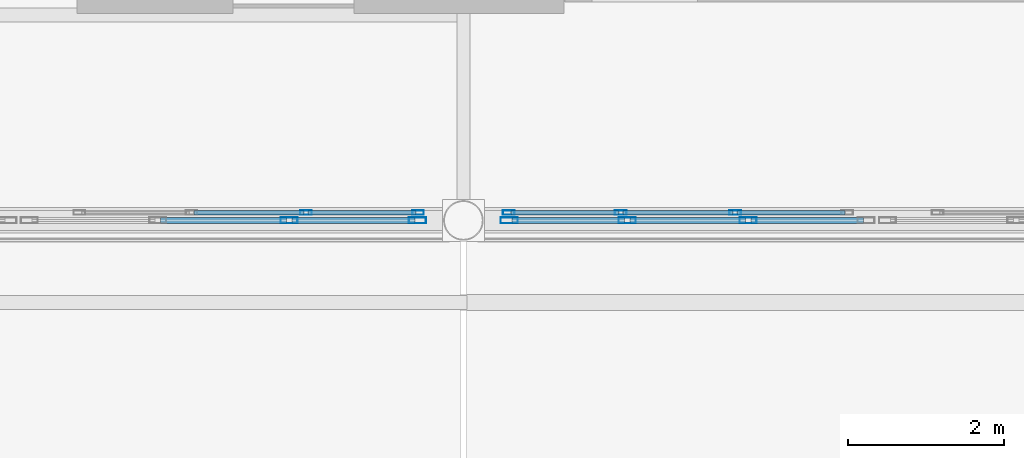
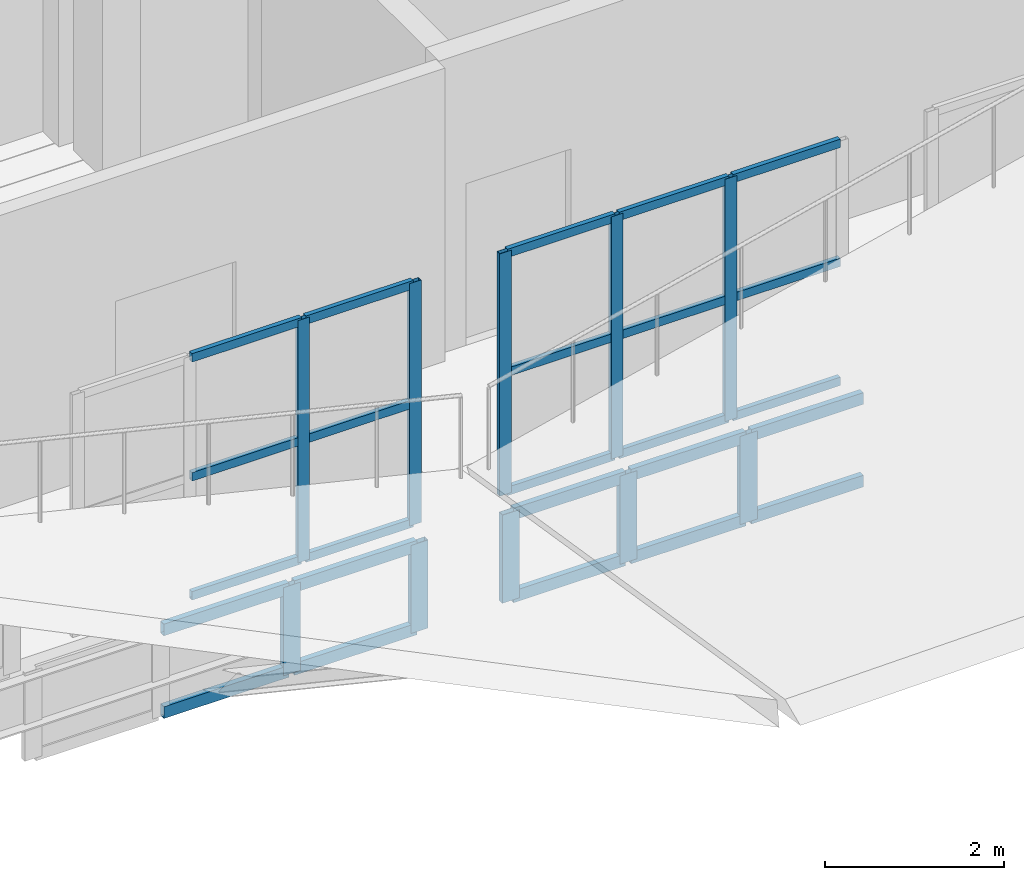
# One storey, part 39 of 120: 35 members, 4 elements without a shape of their own.
"""IFC4 building model written with IfcOpenShell, lengths in metres."""

from ifc_helpers import new_model, si_unit, direction, frame, origin, origin_2d, place, context, subcontext, project, spatial, hollow_rectangle, extrude, material, material_profile, profile_set, type_object, element, aggregate, save


model = new_model("IFC4")

# Units and contexts
model_context = context("Model", 3, precision=1e-05, world=origin(), true_north=direction((0.0, 1.0)))
body_context = subcontext(model_context, "Body", "Model", "MODEL_VIEW")
ifc_project = project(units=[si_unit("LENGTHUNIT", "METRE"), si_unit("AREAUNIT", "SQUARE_METRE"), si_unit("VOLUMEUNIT", "CUBIC_METRE"), si_unit("PLANEANGLEUNIT", "RADIAN"), si_unit("MASSUNIT", "GRAM", prefix="KILO")], contexts=[model_context])

# Site, building, storey
site_placement = place(None, origin())
site = spatial("IfcSite", under=ifc_project, at=site_placement, CompositionType="ELEMENT")
building_placement = place(site_placement, origin())
building = spatial("IfcBuilding", under=site, at=building_placement, Name="Caurita Quay Ferry Terminal", CompositionType="ELEMENT")
storey_placement = place(building_placement, frame((0.0, 0.0, 9.89990234375)))
storey = spatial("IfcBuildingStorey", under=building, at=storey_placement, Name="L02", CompositionType="ELEMENT", Elevation=9.89990234375)

# Curtain wall, members
ifc_material_1 = material(Name="Laminated solar-control insulated glass", Category="glass")
curtain_wall_type_1 = type_object("IfcCurtainWallType", Name="CW-SYS-13", PredefinedType="NOTDEFINED", material=ifc_material_1)
curtain_wall_1_placement = place(storey_placement, origin())
curtain_wall_1 = element("IfcCurtainWall", 1, at=curtain_wall_1_placement, inside=storey, type_object=curtain_wall_type_1, Name="Mezzanine Hall Overlook Glazing 100", PredefinedType="NOTDEFINED")
ifc_material_2 = material(Name="Anodized aluminium 6063-T6", Category="aluminium")
ifc_material_profile_1 = material_profile(ifc_material_2, hollow_rectangle(XDim=0.06005859375, YDim=0.14990234375, WallThickness=0.00341796875, at=origin_2d()), Name="ALU-MUL-60X150")
ifc_profile_set_1 = profile_set([ifc_material_profile_1], Name="Anodized aluminium 6063-T6")
member_type_1 = type_object("IfcMemberType", Name="CW-MUL-150", PredefinedType="MULLION", material=ifc_profile_set_1)
member_1_placement = place(storey_placement, frame((63.9833984375, 62.800048828125, 0.0), z_axis=(0.0, 0.0, 1.0), x_axis=(0.0, 1.0, 0.0)))
member_1 = element("IfcMember", 2, at=member_1_placement, type_object=member_type_1, Name="CW-MZL-100 Mullion 3", PredefinedType="MULLION", context=body_context, shape_type="SweptSolid", body=[
    extrude(hollow_rectangle(XDim=0.06005859375, YDim=0.14990234375, WallThickness=0.00341796875, at=origin_2d()), origin(), (0.0, 0.0, 1.0), 3.300048828125),
])
member_2_placement = place(storey_placement, frame((65.419921875, 62.800048828125, 0.0), z_axis=(0.0, 0.0, 1.0), x_axis=(0.0, 1.0, 0.0)))
member_2 = element("IfcMember", 3, at=member_2_placement, type_object=member_type_1, Name="CW-MZL-100 Mullion 4", PredefinedType="MULLION", context=body_context, shape_type="SweptSolid", body=[
    extrude(hollow_rectangle(XDim=0.06005859375, YDim=0.14990234375, WallThickness=0.00341796875, at=origin_2d()), origin(), (0.0, 0.0, 1.0), 3.300048828125),
])

curtain_wall_2_placement = place(storey_placement, origin())
curtain_wall_2 = element("IfcCurtainWall", 4, at=curtain_wall_2_placement, inside=storey, type_object=curtain_wall_type_1, Name="Mezzanine Hall Overlook Glazing 101", PredefinedType="NOTDEFINED")
member_3_placement = place(storey_placement, frame((66.580078125, 62.800048828125, 0.0), z_axis=(0.0, 0.0, 1.0), x_axis=(0.0, 1.0, 0.0)))
member_3 = element("IfcMember", 5, at=member_3_placement, type_object=member_type_1, Name="CW-MZL-101 Mullion 1", PredefinedType="MULLION", context=body_context, shape_type="SweptSolid", body=[
    extrude(hollow_rectangle(XDim=0.06005859375, YDim=0.14990234375, WallThickness=0.00341796875, at=origin_2d()), origin(), (0.0, 0.0, 1.0), 3.300048828125),
])
member_4_placement = place(storey_placement, frame((68.0166015625, 62.800048828125, 0.0), z_axis=(0.0, 0.0, 1.0), x_axis=(0.0, 1.0, 0.0)))
member_4 = element("IfcMember", 6, at=member_4_placement, type_object=member_type_1, Name="CW-MZL-101 Mullion 2", PredefinedType="MULLION", context=body_context, shape_type="SweptSolid", body=[
    extrude(hollow_rectangle(XDim=0.06005859375, YDim=0.14990234375, WallThickness=0.00341796875, at=origin_2d()), origin(), (0.0, 0.0, 1.0), 3.300048828125),
])
member_5_placement = place(storey_placement, frame((69.4833984375, 62.800048828125, 0.0), z_axis=(0.0, 0.0, 1.0), x_axis=(0.0, 1.0, 0.0)))
member_5 = element("IfcMember", 7, at=member_5_placement, type_object=member_type_1, Name="CW-MZL-101 Mullion 3", PredefinedType="MULLION", context=body_context, shape_type="SweptSolid", body=[
    extrude(hollow_rectangle(XDim=0.06005859375, YDim=0.14990234375, WallThickness=0.00341796875, at=origin_2d()), origin(), (0.0, 0.0, 1.0), 3.300048828125),
])

curtain_wall_type_2 = type_object("IfcCurtainWallType", Name="CW-SYS-06", PredefinedType="NOTDEFINED", material=ifc_material_1)
curtain_wall_3_placement = place(storey_placement, origin())
curtain_wall_3 = element("IfcCurtainWall", 8, at=curtain_wall_3_placement, inside=storey, type_object=curtain_wall_type_2, Name="Folded Roof Clerestory FB-03-N4", PredefinedType="NOTDEFINED")
ifc_material_profile_2 = material_profile(ifc_material_2, hollow_rectangle(XDim=0.074951171875, YDim=0.219970703125, WallThickness=0.00390625, at=origin_2d()), Name="ALU-MUL-75X220")
ifc_profile_set_2 = profile_set([ifc_material_profile_2], Name="Anodized aluminium 6063-T6")
member_type_2 = type_object("IfcMemberType", Name="CW-MUL-220", PredefinedType="MULLION", material=ifc_profile_set_2)
member_6_placement = place(storey_placement, frame((63.7666015625, 62.699951171875, -1.3828125), z_axis=(0.0, 0.0, 1.0), x_axis=(0.0, 1.0, 0.0)))
member_6 = element("IfcMember", 9, at=member_6_placement, type_object=member_type_2, Name="CW-CLR-024 Mullion 3", PredefinedType="MULLION", context=body_context, shape_type="SweptSolid", body=[
    extrude(hollow_rectangle(XDim=0.074951171875, YDim=0.219970703125, WallThickness=0.00390625, at=origin_2d()), origin(), (0.0, 0.0, 1.0), 1.199951171875),
])
member_7_placement = place(storey_placement, frame((65.41259765625, 62.699951171875, -1.3828125), z_axis=(0.0, 0.0, 1.0), x_axis=(0.0, 1.0, 0.0)))
member_7 = element("IfcMember", 10, at=member_7_placement, type_object=member_type_2, Name="CW-CLR-024 Mullion 4", PredefinedType="MULLION", context=body_context, shape_type="SweptSolid", body=[
    extrude(hollow_rectangle(XDim=0.074951171875, YDim=0.219970703125, WallThickness=0.00390625, at=origin_2d()), origin(), (0.0, 0.0, 1.0), 1.199951171875),
])

curtain_wall_type_3 = type_object("IfcCurtainWallType", Name="CW-SYS-05", PredefinedType="NOTDEFINED", material=ifc_material_1)
curtain_wall_4_placement = place(storey_placement, origin())
curtain_wall_4 = element("IfcCurtainWall", 11, at=curtain_wall_4_placement, inside=storey, type_object=curtain_wall_type_3, Name="Folded Roof Clerestory FB-04-N1", PredefinedType="NOTDEFINED")
member_8_placement = place(storey_placement, frame((66.58740234375, 62.699951171875, -1.3828125), z_axis=(0.0, 0.0, 1.0), x_axis=(0.0, 1.0, 0.0)))
member_8 = element("IfcMember", 12, at=member_8_placement, type_object=member_type_2, Name="CW-CLR-029 Mullion 1", PredefinedType="MULLION", context=body_context, shape_type="SweptSolid", body=[
    extrude(hollow_rectangle(XDim=0.074951171875, YDim=0.219970703125, WallThickness=0.00390625, at=origin_2d()), origin(), (0.0, 0.0, 1.0), 1.199951171875),
])
member_9_placement = place(storey_placement, frame((68.10009765625, 62.699951171875, -1.3828125), z_axis=(0.0, 0.0, 1.0), x_axis=(0.0, 1.0, 0.0)))
member_9 = element("IfcMember", 13, at=member_9_placement, type_object=member_type_2, Name="CW-CLR-029 Mullion 2", PredefinedType="MULLION", context=body_context, shape_type="SweptSolid", body=[
    extrude(hollow_rectangle(XDim=0.074951171875, YDim=0.219970703125, WallThickness=0.00390625, at=origin_2d()), origin(), (0.0, 0.0, 1.0), 1.199951171875),
])
member_10_placement = place(storey_placement, frame((69.64990234375, 62.699951171875, -1.3828125), z_axis=(0.0, 0.0, 1.0), x_axis=(0.0, 1.0, 0.0)))
member_10 = element("IfcMember", 14, at=member_10_placement, type_object=member_type_2, Name="CW-CLR-029 Mullion 3", PredefinedType="MULLION", context=body_context, shape_type="SweptSolid", body=[
    extrude(hollow_rectangle(XDim=0.074951171875, YDim=0.219970703125, WallThickness=0.00390625, at=origin_2d()), origin(), (0.0, 0.0, 1.0), 1.199951171875),
])

# Member
ifc_material_profile_3 = material_profile(ifc_material_2, hollow_rectangle(XDim=0.06005859375, YDim=0.114990234375, WallThickness=0.00341796875, at=origin_2d()), Name="ALU-TRN-60X115")
ifc_profile_set_3 = profile_set([ifc_material_profile_3], Name="Anodized aluminium 6063-T6")
member_type_3 = type_object("IfcMemberType", Name="CW-TRN-115", PredefinedType="USERDEFINED", material=ifc_profile_set_3)
member_11_placement = place(storey_placement, frame((62.544677734375, 62.800048828125, 0.030029296875), z_axis=(1.0, 0.0, 0.0), x_axis=(0.0, 1.0, 0.0)))
member_11 = element("IfcMember", 15, at=member_11_placement, type_object=member_type_3, Name="CW-MZL-100 Transom 4", ObjectType="TRANSOM", PredefinedType="USERDEFINED", context=body_context, shape_type="SweptSolid", body=[
    extrude(hollow_rectangle(XDim=0.06005859375, YDim=0.114990234375, WallThickness=0.00341796875, at=origin_2d()), origin(), (0.0, 0.0, 1.0), 1.41064453125),
])

member_12_placement = place(storey_placement, frame((62.544677734375, 62.800048828125, 1.650146484375), z_axis=(1.0, 0.0, 0.0), x_axis=(0.0, 1.0, 0.0)))
member_12 = element("IfcMember", 16, at=member_12_placement, type_object=member_type_3, Name="CW-MZL-100 Transom 5", ObjectType="TRANSOM", PredefinedType="USERDEFINED", context=body_context, shape_type="SweptSolid", body=[
    extrude(hollow_rectangle(XDim=0.06005859375, YDim=0.114990234375, WallThickness=0.00341796875, at=origin_2d()), origin(), (0.0, 0.0, 1.0), 1.41064453125),
])

member_13_placement = place(storey_placement, frame((62.544677734375, 62.800048828125, 3.27001953125), z_axis=(1.0, 0.0, 0.0), x_axis=(0.0, 1.0, 0.0)))
member_13 = element("IfcMember", 17, at=member_13_placement, type_object=member_type_3, Name="CW-MZL-100 Transom 6", ObjectType="TRANSOM", PredefinedType="USERDEFINED", context=body_context, shape_type="SweptSolid", body=[
    extrude(hollow_rectangle(XDim=0.06005859375, YDim=0.114990234375, WallThickness=0.00341796875, at=origin_2d()), origin(), (0.0, 0.0, 1.0), 1.41064453125),
])

member_14_placement = place(storey_placement, frame((64.01123046875, 62.800048828125, 0.030029296875), z_axis=(1.0, 0.0, 0.0), x_axis=(0.0, 1.0, 0.0)))
member_14 = element("IfcMember", 18, at=member_14_placement, type_object=member_type_3, Name="CW-MZL-100 Transom 7", ObjectType="TRANSOM", PredefinedType="USERDEFINED", context=body_context, shape_type="SweptSolid", body=[
    extrude(hollow_rectangle(XDim=0.06005859375, YDim=0.114990234375, WallThickness=0.00341796875, at=origin_2d()), origin(), (0.0, 0.0, 1.0), 1.380859375),
])

member_15_placement = place(storey_placement, frame((64.01123046875, 62.800048828125, 1.650146484375), z_axis=(1.0, 0.0, 0.0), x_axis=(0.0, 1.0, 0.0)))
member_15 = element("IfcMember", 19, at=member_15_placement, type_object=member_type_3, Name="CW-MZL-100 Transom 8", ObjectType="TRANSOM", PredefinedType="USERDEFINED", context=body_context, shape_type="SweptSolid", body=[
    extrude(hollow_rectangle(XDim=0.06005859375, YDim=0.114990234375, WallThickness=0.00341796875, at=origin_2d()), origin(), (0.0, 0.0, 1.0), 1.380859375),
])

member_16_placement = place(storey_placement, frame((64.01123046875, 62.800048828125, 3.27001953125), z_axis=(1.0, 0.0, 0.0), x_axis=(0.0, 1.0, 0.0)))
member_16 = element("IfcMember", 20, at=member_16_placement, type_object=member_type_3, Name="CW-MZL-100 Transom 9", ObjectType="TRANSOM", PredefinedType="USERDEFINED", context=body_context, shape_type="SweptSolid", body=[
    extrude(hollow_rectangle(XDim=0.06005859375, YDim=0.114990234375, WallThickness=0.00341796875, at=origin_2d()), origin(), (0.0, 0.0, 1.0), 1.380859375),
])

aggregate(curtain_wall_1, [member_1, member_2, member_11, member_12, member_13, member_14, member_15, member_16])

member_17_placement = place(storey_placement, frame((66.60791015625, 62.800048828125, 0.030029296875), z_axis=(1.0, 0.0, 0.0), x_axis=(0.0, 1.0, 0.0)))
member_17 = element("IfcMember", 21, at=member_17_placement, type_object=member_type_3, Name="CW-MZL-101 Transom 1", ObjectType="TRANSOM", PredefinedType="USERDEFINED", context=body_context, shape_type="SweptSolid", body=[
    extrude(hollow_rectangle(XDim=0.06005859375, YDim=0.114990234375, WallThickness=0.00341796875, at=origin_2d()), origin(), (0.0, 0.0, 1.0), 1.380859375),
])

member_18_placement = place(storey_placement, frame((66.60791015625, 62.800048828125, 1.650146484375), z_axis=(1.0, 0.0, 0.0), x_axis=(0.0, 1.0, 0.0)))
member_18 = element("IfcMember", 22, at=member_18_placement, type_object=member_type_3, Name="CW-MZL-101 Transom 2", ObjectType="TRANSOM", PredefinedType="USERDEFINED", context=body_context, shape_type="SweptSolid", body=[
    extrude(hollow_rectangle(XDim=0.06005859375, YDim=0.114990234375, WallThickness=0.00341796875, at=origin_2d()), origin(), (0.0, 0.0, 1.0), 1.380859375),
])

member_19_placement = place(storey_placement, frame((66.60791015625, 62.800048828125, 3.27001953125), z_axis=(1.0, 0.0, 0.0), x_axis=(0.0, 1.0, 0.0)))
member_19 = element("IfcMember", 23, at=member_19_placement, type_object=member_type_3, Name="CW-MZL-101 Transom 3", ObjectType="TRANSOM", PredefinedType="USERDEFINED", context=body_context, shape_type="SweptSolid", body=[
    extrude(hollow_rectangle(XDim=0.06005859375, YDim=0.114990234375, WallThickness=0.00341796875, at=origin_2d()), origin(), (0.0, 0.0, 1.0), 1.380859375),
])

member_20_placement = place(storey_placement, frame((68.044677734375, 62.800048828125, 0.030029296875), z_axis=(1.0, 0.0, 0.0), x_axis=(0.0, 1.0, 0.0)))
member_20 = element("IfcMember", 24, at=member_20_placement, type_object=member_type_3, Name="CW-MZL-101 Transom 4", ObjectType="TRANSOM", PredefinedType="USERDEFINED", context=body_context, shape_type="SweptSolid", body=[
    extrude(hollow_rectangle(XDim=0.06005859375, YDim=0.114990234375, WallThickness=0.00341796875, at=origin_2d()), origin(), (0.0, 0.0, 1.0), 1.41064453125),
])

member_21_placement = place(storey_placement, frame((68.044677734375, 62.800048828125, 1.650146484375), z_axis=(1.0, 0.0, 0.0), x_axis=(0.0, 1.0, 0.0)))
member_21 = element("IfcMember", 25, at=member_21_placement, type_object=member_type_3, Name="CW-MZL-101 Transom 5", ObjectType="TRANSOM", PredefinedType="USERDEFINED", context=body_context, shape_type="SweptSolid", body=[
    extrude(hollow_rectangle(XDim=0.06005859375, YDim=0.114990234375, WallThickness=0.00341796875, at=origin_2d()), origin(), (0.0, 0.0, 1.0), 1.41064453125),
])

member_22_placement = place(storey_placement, frame((68.044677734375, 62.800048828125, 3.27001953125), z_axis=(1.0, 0.0, 0.0), x_axis=(0.0, 1.0, 0.0)))
member_22 = element("IfcMember", 26, at=member_22_placement, type_object=member_type_3, Name="CW-MZL-101 Transom 6", ObjectType="TRANSOM", PredefinedType="USERDEFINED", context=body_context, shape_type="SweptSolid", body=[
    extrude(hollow_rectangle(XDim=0.06005859375, YDim=0.114990234375, WallThickness=0.00341796875, at=origin_2d()), origin(), (0.0, 0.0, 1.0), 1.41064453125),
])

member_23_placement = place(storey_placement, frame((69.51123046875, 62.800048828125, 0.030029296875), z_axis=(1.0, 0.0, 0.0), x_axis=(0.0, 1.0, 0.0)))
member_23 = element("IfcMember", 27, at=member_23_placement, type_object=member_type_3, Name="CW-MZL-101 Transom 7", ObjectType="TRANSOM", PredefinedType="USERDEFINED", context=body_context, shape_type="SweptSolid", body=[
    extrude(hollow_rectangle(XDim=0.06005859375, YDim=0.114990234375, WallThickness=0.00341796875, at=origin_2d()), origin(), (0.0, 0.0, 1.0), 1.380859375),
])

member_24_placement = place(storey_placement, frame((69.51123046875, 62.800048828125, 1.650146484375), z_axis=(1.0, 0.0, 0.0), x_axis=(0.0, 1.0, 0.0)))
member_24 = element("IfcMember", 28, at=member_24_placement, type_object=member_type_3, Name="CW-MZL-101 Transom 8", ObjectType="TRANSOM", PredefinedType="USERDEFINED", context=body_context, shape_type="SweptSolid", body=[
    extrude(hollow_rectangle(XDim=0.06005859375, YDim=0.114990234375, WallThickness=0.00341796875, at=origin_2d()), origin(), (0.0, 0.0, 1.0), 1.380859375),
])

member_25_placement = place(storey_placement, frame((69.51123046875, 62.800048828125, 3.27001953125), z_axis=(1.0, 0.0, 0.0), x_axis=(0.0, 1.0, 0.0)))
member_25 = element("IfcMember", 29, at=member_25_placement, type_object=member_type_3, Name="CW-MZL-101 Transom 9", ObjectType="TRANSOM", PredefinedType="USERDEFINED", context=body_context, shape_type="SweptSolid", body=[
    extrude(hollow_rectangle(XDim=0.06005859375, YDim=0.114990234375, WallThickness=0.00341796875, at=origin_2d()), origin(), (0.0, 0.0, 1.0), 1.380859375),
])

aggregate(curtain_wall_2, [member_3, member_4, member_5, member_17, member_18, member_19, member_20, member_21, member_22, member_23, member_24, member_25])

ifc_material_profile_4 = material_profile(ifc_material_2, hollow_rectangle(XDim=0.074951171875, YDim=0.159912109375, WallThickness=0.00390625, at=origin_2d()), Name="ALU-TRN-75X160")
ifc_profile_set_4 = profile_set([ifc_material_profile_4], Name="Anodized aluminium 6063-T6")
member_type_4 = type_object("IfcMemberType", Name="CW-TRN-160", PredefinedType="USERDEFINED", material=ifc_profile_set_4)
member_26_placement = place(storey_placement, frame((62.118896484375, 62.699951171875, -1.345458984375), z_axis=(1.0, 0.0, 0.0), x_axis=(0.0, 1.0, 0.0)))
member_26 = element("IfcMember", 30, at=member_26_placement, type_object=member_type_4, Name="CW-CLR-024 Transom 3", ObjectType="TRANSOM", PredefinedType="USERDEFINED", context=body_context, shape_type="SweptSolid", body=[
    extrude(hollow_rectangle(XDim=0.074951171875, YDim=0.159912109375, WallThickness=0.00390625, at=origin_2d()), origin(), (0.0, 0.0, 1.0), 1.6123046875),
])

member_27_placement = place(storey_placement, frame((62.118896484375, 62.699951171875, -0.220458984375), z_axis=(1.0, 0.0, 0.0), x_axis=(0.0, 1.0, 0.0)))
member_27 = element("IfcMember", 31, at=member_27_placement, type_object=member_type_4, Name="CW-CLR-024 Transom 4", ObjectType="TRANSOM", PredefinedType="USERDEFINED", context=body_context, shape_type="SweptSolid", body=[
    extrude(hollow_rectangle(XDim=0.074951171875, YDim=0.159912109375, WallThickness=0.00390625, at=origin_2d()), origin(), (0.0, 0.0, 1.0), 1.6123046875),
])

member_28_placement = place(storey_placement, frame((63.80224609375, 62.699951171875, -1.345458984375), z_axis=(1.0, 0.0, 0.0), x_axis=(0.0, 1.0, 0.0)))
member_28 = element("IfcMember", 32, at=member_28_placement, type_object=member_type_4, Name="CW-CLR-024 Transom 5", ObjectType="TRANSOM", PredefinedType="USERDEFINED", context=body_context, shape_type="SweptSolid", body=[
    extrude(hollow_rectangle(XDim=0.074951171875, YDim=0.159912109375, WallThickness=0.00390625, at=origin_2d()), origin(), (0.0, 0.0, 1.0), 1.57470703125),
])

member_29_placement = place(storey_placement, frame((63.80224609375, 62.699951171875, -0.220458984375), z_axis=(1.0, 0.0, 0.0), x_axis=(0.0, 1.0, 0.0)))
member_29 = element("IfcMember", 33, at=member_29_placement, type_object=member_type_4, Name="CW-CLR-024 Transom 6", ObjectType="TRANSOM", PredefinedType="USERDEFINED", context=body_context, shape_type="SweptSolid", body=[
    extrude(hollow_rectangle(XDim=0.074951171875, YDim=0.159912109375, WallThickness=0.00390625, at=origin_2d()), origin(), (0.0, 0.0, 1.0), 1.57470703125),
])

aggregate(curtain_wall_3, [member_6, member_7, member_26, member_27, member_28, member_29])

member_30_placement = place(storey_placement, frame((66.623046875, 62.699951171875, -1.345458984375), z_axis=(1.0, 0.0, 0.0), x_axis=(0.0, 1.0, 0.0)))
member_30 = element("IfcMember", 34, at=member_30_placement, type_object=member_type_4, Name="CW-CLR-029 Transom 1", ObjectType="TRANSOM", PredefinedType="USERDEFINED", context=body_context, shape_type="SweptSolid", body=[
    extrude(hollow_rectangle(XDim=0.074951171875, YDim=0.159912109375, WallThickness=0.00390625, at=origin_2d()), origin(), (0.0, 0.0, 1.0), 1.44140625),
])

member_31_placement = place(storey_placement, frame((66.623046875, 62.699951171875, -0.220458984375), z_axis=(1.0, 0.0, 0.0), x_axis=(0.0, 1.0, 0.0)))
member_31 = element("IfcMember", 35, at=member_31_placement, type_object=member_type_4, Name="CW-CLR-029 Transom 2", ObjectType="TRANSOM", PredefinedType="USERDEFINED", context=body_context, shape_type="SweptSolid", body=[
    extrude(hollow_rectangle(XDim=0.074951171875, YDim=0.159912109375, WallThickness=0.00390625, at=origin_2d()), origin(), (0.0, 0.0, 1.0), 1.44140625),
])

member_32_placement = place(storey_placement, frame((68.135498046875, 62.699951171875, -1.345458984375), z_axis=(1.0, 0.0, 0.0), x_axis=(0.0, 1.0, 0.0)))
member_32 = element("IfcMember", 36, at=member_32_placement, type_object=member_type_4, Name="CW-CLR-029 Transom 3", ObjectType="TRANSOM", PredefinedType="USERDEFINED", context=body_context, shape_type="SweptSolid", body=[
    extrude(hollow_rectangle(XDim=0.074951171875, YDim=0.159912109375, WallThickness=0.00390625, at=origin_2d()), origin(), (0.0, 0.0, 1.0), 1.47900390625),
])

member_33_placement = place(storey_placement, frame((68.135498046875, 62.699951171875, -0.220458984375), z_axis=(1.0, 0.0, 0.0), x_axis=(0.0, 1.0, 0.0)))
member_33 = element("IfcMember", 37, at=member_33_placement, type_object=member_type_4, Name="CW-CLR-029 Transom 4", ObjectType="TRANSOM", PredefinedType="USERDEFINED", context=body_context, shape_type="SweptSolid", body=[
    extrude(hollow_rectangle(XDim=0.074951171875, YDim=0.159912109375, WallThickness=0.00390625, at=origin_2d()), origin(), (0.0, 0.0, 1.0), 1.47900390625),
])

member_34_placement = place(storey_placement, frame((69.685546875, 62.699951171875, -1.345458984375), z_axis=(1.0, 0.0, 0.0), x_axis=(0.0, 1.0, 0.0)))
member_34 = element("IfcMember", 38, at=member_34_placement, type_object=member_type_4, Name="CW-CLR-029 Transom 5", ObjectType="TRANSOM", PredefinedType="USERDEFINED", context=body_context, shape_type="SweptSolid", body=[
    extrude(hollow_rectangle(XDim=0.074951171875, YDim=0.159912109375, WallThickness=0.00390625, at=origin_2d()), origin(), (0.0, 0.0, 1.0), 1.44140625),
])

member_35_placement = place(storey_placement, frame((69.685546875, 62.699951171875, -0.220458984375), z_axis=(1.0, 0.0, 0.0), x_axis=(0.0, 1.0, 0.0)))
member_35 = element("IfcMember", 39, at=member_35_placement, type_object=member_type_4, Name="CW-CLR-029 Transom 6", ObjectType="TRANSOM", PredefinedType="USERDEFINED", context=body_context, shape_type="SweptSolid", body=[
    extrude(hollow_rectangle(XDim=0.074951171875, YDim=0.159912109375, WallThickness=0.00390625, at=origin_2d()), origin(), (0.0, 0.0, 1.0), 1.44140625),
])

aggregate(curtain_wall_4, [member_8, member_9, member_10, member_30, member_31, member_32, member_33, member_34, member_35])

save(model, "model.ifc")
